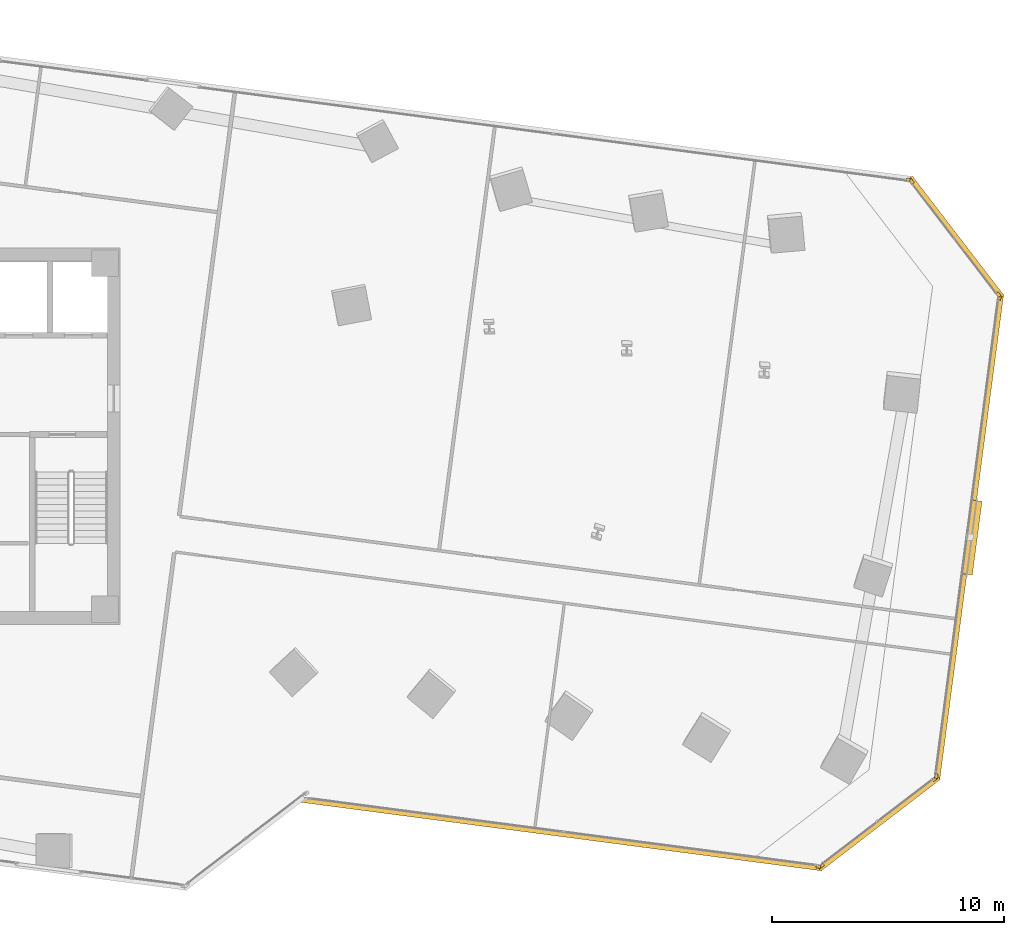
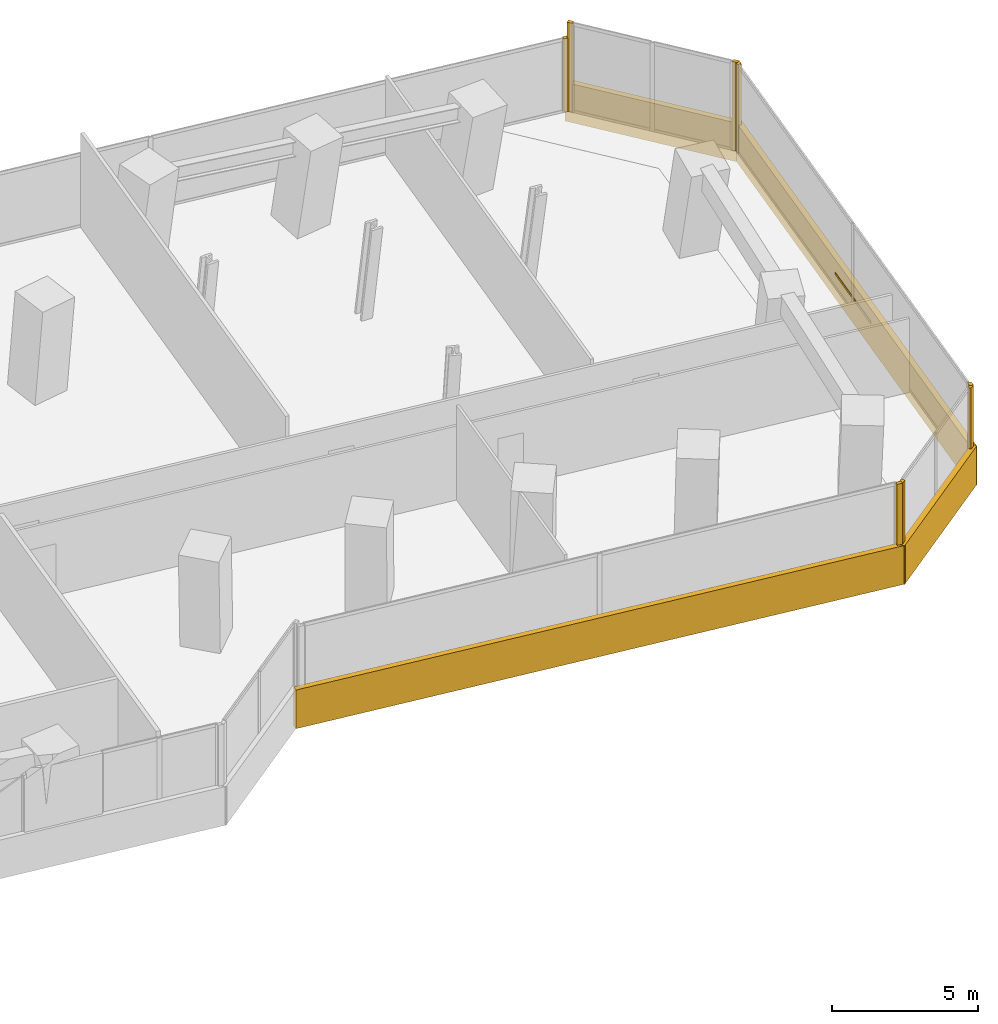
# One storey, part 23 of 24: 12 coverings, 1 shading device.
"""IFC4 building model written with IfcOpenShell, lengths in metres."""

from ifc_helpers import new_model, si_unit, direction, frame, origin, origin_2d, place, context, subcontext, project, spatial, rectangle, extrude, source, transform, mapped, material, layer, layer_set, type_object, element, save


model = new_model("IFC4")

# Units and contexts
model_context = context("Model", 3, precision=1e-05, world=origin(), true_north=direction((0.0, 1.0)))
body_context = subcontext(model_context, "Body", "Model", "MODEL_VIEW")
ifc_project = project(units=[si_unit("LENGTHUNIT", "METRE"), si_unit("AREAUNIT", "SQUARE_METRE"), si_unit("VOLUMEUNIT", "CUBIC_METRE"), si_unit("PLANEANGLEUNIT", "RADIAN"), si_unit("MASSUNIT", "GRAM", prefix="KILO")], contexts=[model_context])

# Site, building, storey
site_placement = place(None, origin())
site = spatial("IfcSite", under=ifc_project, at=site_placement, CompositionType="ELEMENT")
building_placement = place(site_placement, origin())
building = spatial("IfcBuilding", under=site, at=building_placement, Name="Torre Montelarca", CompositionType="ELEMENT")
storey_placement = place(building_placement, frame((0.0, 0.0, 70.60009765625)))
storey = spatial("IfcBuildingStorey", under=building, at=storey_placement, Name="L15", CompositionType="ELEMENT", Elevation=70.60009765625)

# Coverings
ifc_material_1 = material(Name="Bush-hammered warm white precast concrete C45/55", Category="concrete")
ifc_layer_1 = layer(ifc_material_1, 0.139892578125, Name="Bush-hammered warm white precast concrete C45/55", Category="concrete")
ifc_layer_set_1 = layer_set([ifc_layer_1], Name="Bush-hammered warm white precast concrete C45/55")
covering_type = type_object("IfcCoveringType", Name="COV-TRAY-CLAD", PredefinedType="CLADDING", material=ifc_layer_set_1)
shared_shape_1 = source(origin(), body_context, "Body", "SweptSolid", [
    extrude(rectangle(XDim=6.48388671875, YDim=0.219970703125, at=origin_2d()), origin(), (0.0, 0.0, 1.0), 1.6201171875),
])
for number, where, z_axis, x_axis, name in (
    (1, (59.78076171875, 15.33203125, -0.4501953125), (0.0, 0.0, 1.0), (0.793350152813, 0.608765582989, 0.0), "L15 Architectural White Spandrel Tray Band TRYBOT-05"),
    (2, (63.103515625, 40.57177734375, -0.4501953125), (0.0, 0.0, 1.0), (-0.608755890343, 0.793357590228, 0.0), "L15 Architectural White Spandrel Tray Band TRYBOT-07"),
):
    element("IfcCovering", number, at=place(storey_placement, frame(where, z_axis=z_axis, x_axis=x_axis)), inside=storey, type_object=covering_type, Name=name, PredefinedType="CLADDING", context=body_context, shape_type="MappedRepresentation", body=[
        mapped(shared_shape_1, transform((0.0, 0.0, 0.0), scale=1.0)),
    ])
shared_shape_2 = source(origin(), body_context, "Body", "SweptSolid", [
    extrude(rectangle(XDim=22.6201171875, YDim=0.219970703125, at=origin_2d()), origin(), (0.0, 0.0, 1.0), 1.6201171875),
])
covering_1_placement = place(storey_placement, frame((46.124755859375, 14.869384765625, -0.4501953125), z_axis=(0.0, 0.0, 1.0), x_axis=(0.991444405745, -0.130529653015, 0.0)))
element("IfcCovering", 3, at=covering_1_placement, inside=storey, type_object=covering_type, Name="L15 Architectural White Spandrel Tray Band TRYBOT-04", PredefinedType="CLADDING", context=body_context, shape_type="MappedRepresentation", body=[
    mapped(shared_shape_2, transform((0.0, 0.0, 0.0), scale=1.0)),
])
shared_shape_3 = source(origin(), body_context, "Body", "SweptSolid", [
    extrude(rectangle(XDim=21.1201171875, YDim=0.219970703125, at=origin_2d()), origin(), (0.0, 0.0, 1.0), 1.6201171875),
])
covering_2_placement = place(storey_placement, frame((63.664306640625, 27.659423828125, -0.4501953125), z_axis=(0.0, 0.0, 1.0), x_axis=(0.130524461822, 0.991445089183, 0.0)))
element("IfcCovering", 4, at=covering_2_placement, inside=storey, type_object=covering_type, Name="L15 Architectural White Spandrel Tray Band TRYBOT-06", PredefinedType="CLADDING", context=body_context, shape_type="MappedRepresentation", body=[
    mapped(shared_shape_3, transform((0.0, 0.0, 0.0), scale=1.0)),
])

# Shading device
ifc_material_2 = material(Name="Anodised champagne bronze aluminium AA 6063-T6", Category="aluminium")
ifc_layer_2 = layer(ifc_material_2, 0.070068359375, Name="Anodised champagne bronze aluminium AA 6063-T6", Category="aluminium")
ifc_layer_set_2 = layer_set([ifc_layer_2], Name="Anodised champagne bronze aluminium AA 6063-T6")
shading_device_type = type_object("IfcShadingDeviceType", Name="SHD-SUNSHADE-1", PredefinedType="USERDEFINED", material=ifc_layer_set_2)
shared_shape_4 = source(origin(), body_context, "Body", "SweptSolid", [
    extrude(rectangle(XDim=3.199951171875, YDim=0.47998046875, at=origin_2d()), origin(), (0.0, 0.0, 1.0), 0.10009765625),
])
shading_device_placement = place(storey_placement, frame((63.773193359375, 27.64501953125, 0.56982421875), z_axis=(0.0, 0.0, 1.0), x_axis=(0.130524461822, 0.991445089183, 0.0)))
element("IfcShadingDevice", 5, at=shading_device_placement, inside=storey, type_object=shading_device_type, Name="L15 Facade Solar Shading Device E6", ObjectType="SUNSHADE", PredefinedType="USERDEFINED", context=body_context, shape_type="MappedRepresentation", body=[
    mapped(shared_shape_4, transform((0.0, 0.0, 0.0), scale=1.0)),
])

# Coverings
shared_shape_5 = source(origin(), body_context, "Body", "SweptSolid", [
    extrude(rectangle(XDim=0.199951171875, YDim=0.139892578125, at=origin_2d()), origin(), (0.0, 0.0, 1.0), 3.719970703125),
])
for number, where, z_axis, x_axis, name in (
    (6, (57.17138671875, 13.4755859375, 0.0), (0.0, 0.0, 1.0), (0.991444861374, -0.13052619222, 0.0), "L15 Architectural Column Pier Cladding E04-2"),
    (7, (57.3115234375, 13.512939453125, 0.0), (0.0, 0.0, 1.0), (0.793343777791, 0.608773890899, 0.0), "L15 Architectural Column Pier Cladding E05-1"),
    (8, (62.1767578125, 17.24609375, 0.0), (0.0, 0.0, 1.0), (0.793343777791, 0.608773890899, 0.0), "L15 Architectural Column Pier Cladding E05-2"),
    (9, (62.249267578125, 17.3720703125, 0.0), (0.0, 0.0, 1.0), (0.130524461822, 0.991445089183, 0.0), "L15 Architectural Column Pier Cladding E06-1"),
    (10, (64.9599609375, 37.96240234375, 0.0), (0.0, 0.0, 1.0), (0.130524461822, 0.991445089183, 0.0), "L15 Architectural Column Pier Cladding E06-2"),
    (11, (64.922607421875, 38.102783203125, 0.0), (0.0, 0.0, 1.0), (-0.608764198331, 0.793351215308, 0.0), "L15 Architectural Column Pier Cladding E07-1"),
    (12, (61.189453125, 42.9677734375, 0.0), (0.0, 0.0, 1.0), (-0.608764198331, 0.793351215308, 0.0), "L15 Architectural Column Pier Cladding E07-2"),
):
    element("IfcCovering", number, at=place(storey_placement, frame(where, z_axis=z_axis, x_axis=x_axis)), inside=storey, type_object=covering_type, Name=name, PredefinedType="CLADDING", context=body_context, shape_type="MappedRepresentation", body=[
        mapped(shared_shape_5, transform((0.0, 0.0, 0.0), scale=1.0)),
    ])
shared_shape_6 = source(origin(), body_context, "Body", "SweptSolid", [
    extrude(rectangle(XDim=0.199951171875, YDim=0.139892578125, at=origin_2d()), origin(), (0.0, 0.0, 1.0), 3.074951171875),
])
covering_3_placement = place(storey_placement, frame((61.063720703125, 43.040283203125, 0.0), z_axis=(0.0, 0.0, 1.0), x_axis=(-0.991444861374, 0.13052619222, 0.0)))
element("IfcCovering", 13, at=covering_3_placement, inside=storey, type_object=covering_type, Name="L15 Architectural Column Pier Cladding E08-1", PredefinedType="CLADDING", context=body_context, shape_type="MappedRepresentation", body=[
    mapped(shared_shape_6, transform((0.0, 0.0, 0.0), scale=1.0)),
])

save(model, "model.ifc")
